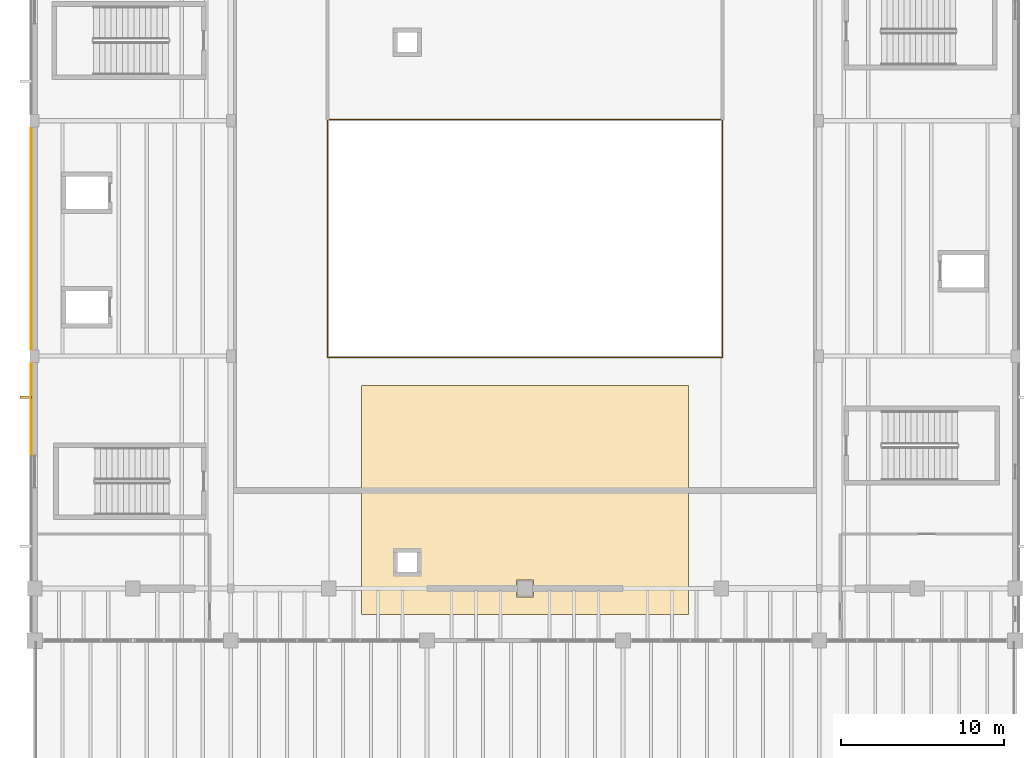
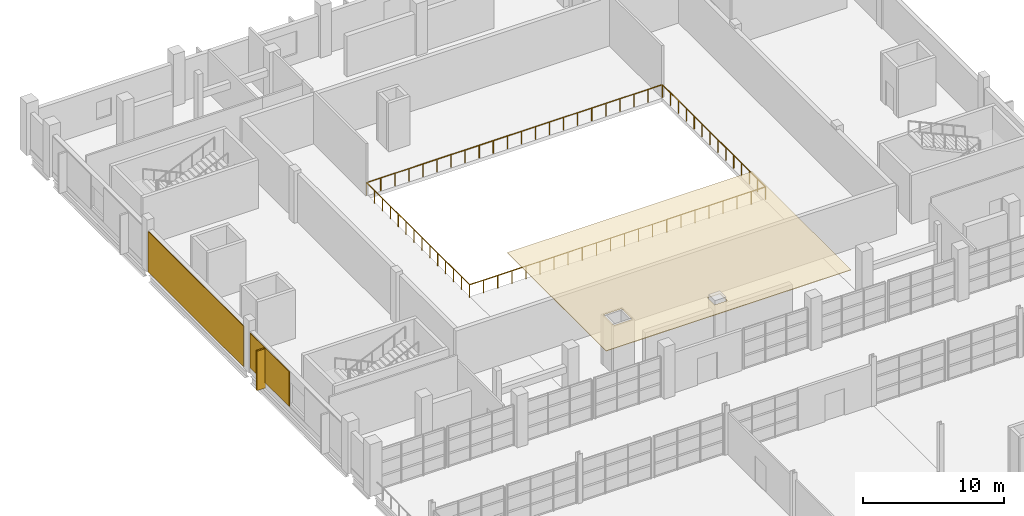
# One storey, part 105 of 114: 4 coverings, 2 railings, 1 shading device.
"""IFC4 building model written with IfcOpenShell, lengths in metres."""

from ifc_helpers import new_model, si_unit, direction, frame, origin, origin_2d, place, context, subcontext, project, spatial, polyline, rectangle, circle, outline, extrude, material, layer, layer_set, type_object, element, save


model = new_model("IFC4")

# Units and contexts
model_context = context("Model", 3, precision=1e-05, world=origin(), true_north=direction((0.0, 1.0)))
body_context = subcontext(model_context, "Body", "Model", "MODEL_VIEW")
ifc_project = project(units=[si_unit("LENGTHUNIT", "METRE"), si_unit("AREAUNIT", "SQUARE_METRE"), si_unit("VOLUMEUNIT", "CUBIC_METRE"), si_unit("PLANEANGLEUNIT", "RADIAN"), si_unit("MASSUNIT", "GRAM", prefix="KILO")], contexts=[model_context])

# Site, building, storey
site_placement = place(None, origin())
site = spatial("IfcSite", under=ifc_project, at=site_placement, CompositionType="ELEMENT")
building_placement = place(site_placement, origin())
building = spatial("IfcBuilding", under=site, at=building_placement, Name="Kelmvaro Bay Concert Hall", CompositionType="ELEMENT")
storey_placement = place(building_placement, frame((0.0, 0.0, 4.800048828125)))
storey = spatial("IfcBuildingStorey", under=building, at=storey_placement, Name="L01", CompositionType="ELEMENT", Elevation=4.800048828125)

# Railings
ifc_material_1 = material(Name="Architectural Bronze and Laminated Glass", Category="glass")
railing_type = type_object("IfcRailingType", Name="Auditorium Balcony Acoustic Brass Guard 1120", PredefinedType="BALUSTRADE", material=ifc_material_1)
railing_1_placement = place(storey_placement, frame((17.919921875, 82.719970703125, 0.0)))
element("IfcRailing", 1, at=railing_1_placement, inside=storey, type_object=railing_type, Name="L01 Balcony Guard 012", PredefinedType="BALUSTRADE", context=body_context, shape_type="SweptSolid", body=[
    extrude(circle(Radius=0.02392578125, at=origin_2d()), frame((0.0, 0.0, 1.09619140625), z_axis=(1.0, 0.0, 0.0), x_axis=(0.0, 1.0, 0.0)), (0.0, 0.0, 1.0), 24.16015625),
    extrude(circle(Radius=0.02392578125, at=origin_2d()), frame((24.16015625, 0.0, 1.09619140625), z_axis=(0.0, 1.0, 0.0), x_axis=(-1.0, 0.0, 0.0)), (0.0, 0.0, 1.0), 14.530029296875),
    extrude(circle(Radius=0.02099609375, at=origin_2d()), origin(), (0.0, 0.0, 1.0), 1.072021484375),
    extrude(circle(Radius=0.02099609375, at=origin_2d()), frame((1.150390625, 0.0, 0.0)), (0.0, 0.0, 1.0), 1.072021484375),
    extrude(circle(Radius=0.02099609375, at=origin_2d()), frame((2.301025390625, 0.0, 0.0)), (0.0, 0.0, 1.0), 1.072021484375),
    extrude(circle(Radius=0.02099609375, at=origin_2d()), frame((3.451416015625, 0.0, 0.0)), (0.0, 0.0, 1.0), 1.072021484375),
    extrude(circle(Radius=0.02099609375, at=origin_2d()), frame((4.60205078125, 0.0, 0.0)), (0.0, 0.0, 1.0), 1.072021484375),
    extrude(circle(Radius=0.02099609375, at=origin_2d()), frame((5.75244140625, 0.0, 0.0)), (0.0, 0.0, 1.0), 1.072021484375),
    extrude(circle(Radius=0.02099609375, at=origin_2d()), frame((6.90283203125, 0.0, 0.0)), (0.0, 0.0, 1.0), 1.072021484375),
    extrude(circle(Radius=0.02099609375, at=origin_2d()), frame((8.053466796875, 0.0, 0.0)), (0.0, 0.0, 1.0), 1.072021484375),
    extrude(circle(Radius=0.02099609375, at=origin_2d()), frame((9.203857421875, 0.0, 0.0)), (0.0, 0.0, 1.0), 1.072021484375),
    extrude(circle(Radius=0.02099609375, at=origin_2d()), frame((10.354248046875, 0.0, 0.0)), (0.0, 0.0, 1.0), 1.072021484375),
    extrude(circle(Radius=0.02099609375, at=origin_2d()), frame((11.5048828125, 0.0, 0.0)), (0.0, 0.0, 1.0), 1.072021484375),
    extrude(circle(Radius=0.02099609375, at=origin_2d()), frame((12.6552734375, 0.0, 0.0)), (0.0, 0.0, 1.0), 1.072021484375),
    extrude(circle(Radius=0.02099609375, at=origin_2d()), frame((13.805908203125, 0.0, 0.0)), (0.0, 0.0, 1.0), 1.072021484375),
    extrude(circle(Radius=0.02099609375, at=origin_2d()), frame((14.956298828125, 0.0, 0.0)), (0.0, 0.0, 1.0), 1.072021484375),
    extrude(circle(Radius=0.02099609375, at=origin_2d()), frame((16.106689453125, 0.0, 0.0)), (0.0, 0.0, 1.0), 1.072021484375),
    extrude(circle(Radius=0.02099609375, at=origin_2d()), frame((17.25732421875, 0.0, 0.0)), (0.0, 0.0, 1.0), 1.072021484375),
    extrude(circle(Radius=0.02099609375, at=origin_2d()), frame((18.40771484375, 0.0, 0.0)), (0.0, 0.0, 1.0), 1.072021484375),
    extrude(circle(Radius=0.02099609375, at=origin_2d()), frame((19.55810546875, 0.0, 0.0)), (0.0, 0.0, 1.0), 1.072021484375),
    extrude(circle(Radius=0.02099609375, at=origin_2d()), frame((20.708740234375, 0.0, 0.0)), (0.0, 0.0, 1.0), 1.072021484375),
    extrude(circle(Radius=0.02099609375, at=origin_2d()), frame((21.859130859375, 0.0, 0.0)), (0.0, 0.0, 1.0), 1.072021484375),
    extrude(circle(Radius=0.02099609375, at=origin_2d()), frame((23.009765625, 0.0, 0.0)), (0.0, 0.0, 1.0), 1.072021484375),
    extrude(circle(Radius=0.02099609375, at=origin_2d()), frame((24.16015625, 0.0, 0.0)), (0.0, 0.0, 1.0), 1.072021484375),
    extrude(circle(Radius=0.02099609375, at=origin_2d()), frame((24.16015625, 1.11767578125, 0.0)), (0.0, 0.0, 1.0), 1.072021484375),
    extrude(circle(Radius=0.02099609375, at=origin_2d()), frame((24.16015625, 2.2353515625, 0.0)), (0.0, 0.0, 1.0), 1.072021484375),
    extrude(circle(Radius=0.02099609375, at=origin_2d()), frame((24.16015625, 3.35302734375, 0.0)), (0.0, 0.0, 1.0), 1.072021484375),
    extrude(circle(Radius=0.02099609375, at=origin_2d()), frame((24.16015625, 4.470703125, 0.0)), (0.0, 0.0, 1.0), 1.072021484375),
    extrude(circle(Radius=0.02099609375, at=origin_2d()), frame((24.16015625, 5.58837890625, 0.0)), (0.0, 0.0, 1.0), 1.072021484375),
    extrude(circle(Radius=0.02099609375, at=origin_2d()), frame((24.16015625, 6.7060546875, 0.0)), (0.0, 0.0, 1.0), 1.072021484375),
    extrude(circle(Radius=0.02099609375, at=origin_2d()), frame((24.16015625, 7.823974609375, 0.0)), (0.0, 0.0, 1.0), 1.072021484375),
    extrude(circle(Radius=0.02099609375, at=origin_2d()), frame((24.16015625, 8.941650390625, 0.0)), (0.0, 0.0, 1.0), 1.072021484375),
    extrude(circle(Radius=0.02099609375, at=origin_2d()), frame((24.16015625, 10.059326171875, 0.0)), (0.0, 0.0, 1.0), 1.072021484375),
    extrude(circle(Radius=0.02099609375, at=origin_2d()), frame((24.16015625, 11.177001953125, 0.0)), (0.0, 0.0, 1.0), 1.072021484375),
    extrude(circle(Radius=0.02099609375, at=origin_2d()), frame((24.16015625, 12.294677734375, 0.0)), (0.0, 0.0, 1.0), 1.072021484375),
    extrude(circle(Radius=0.02099609375, at=origin_2d()), frame((24.16015625, 13.412353515625, 0.0)), (0.0, 0.0, 1.0), 1.072021484375),
    extrude(circle(Radius=0.02099609375, at=origin_2d()), frame((24.16015625, 14.530029296875, 0.0)), (0.0, 0.0, 1.0), 1.072021484375),
])
railing_2_placement = place(storey_placement, frame((42.050048828125, 97.280029296875, 0.0)))
element("IfcRailing", 2, at=railing_2_placement, inside=storey, type_object=railing_type, Name="L01 Balcony Guard 013", PredefinedType="BALUSTRADE", context=body_context, shape_type="SweptSolid", body=[
    extrude(circle(Radius=0.02392578125, at=origin_2d()), frame((0.0, 0.0, 1.09619140625), z_axis=(-1.0, 0.0, 0.0), x_axis=(0.0, -1.0, 0.0)), (0.0, 0.0, 1.0), 24.130126953125),
    extrude(circle(Radius=0.02392578125, at=origin_2d()), frame((-24.130126953125, 0.0, 1.09619140625), z_axis=(0.0, -1.0, 0.0), x_axis=(1.0, 0.0, 0.0)), (0.0, 0.0, 1.0), 14.530029296875),
    extrude(circle(Radius=0.02099609375, at=origin_2d()), origin(), (0.0, 0.0, 1.0), 1.072021484375),
    extrude(circle(Radius=0.02099609375, at=origin_2d()), frame((-1.149169921875, 0.0, 0.0)), (0.0, 0.0, 1.0), 1.072021484375),
    extrude(circle(Radius=0.02099609375, at=origin_2d()), frame((-2.298095703125, 0.0, 0.0)), (0.0, 0.0, 1.0), 1.072021484375),
    extrude(circle(Radius=0.02099609375, at=origin_2d()), frame((-3.447265625, 0.0, 0.0)), (0.0, 0.0, 1.0), 1.072021484375),
    extrude(circle(Radius=0.02099609375, at=origin_2d()), frame((-4.59619140625, 0.0, 0.0)), (0.0, 0.0, 1.0), 1.072021484375),
    extrude(circle(Radius=0.02099609375, at=origin_2d()), frame((-5.745361328125, 0.0, 0.0)), (0.0, 0.0, 1.0), 1.072021484375),
    extrude(circle(Radius=0.02099609375, at=origin_2d()), frame((-6.894287109375, 0.0, 0.0)), (0.0, 0.0, 1.0), 1.072021484375),
    extrude(circle(Radius=0.02099609375, at=origin_2d()), frame((-8.04345703125, 0.0, 0.0)), (0.0, 0.0, 1.0), 1.072021484375),
    extrude(circle(Radius=0.02099609375, at=origin_2d()), frame((-9.1923828125, 0.0, 0.0)), (0.0, 0.0, 1.0), 1.072021484375),
    extrude(circle(Radius=0.02099609375, at=origin_2d()), frame((-10.341552734375, 0.0, 0.0)), (0.0, 0.0, 1.0), 1.072021484375),
    extrude(circle(Radius=0.02099609375, at=origin_2d()), frame((-11.490478515625, 0.0, 0.0)), (0.0, 0.0, 1.0), 1.072021484375),
    extrude(circle(Radius=0.02099609375, at=origin_2d()), frame((-12.6396484375, 0.0, 0.0)), (0.0, 0.0, 1.0), 1.072021484375),
    extrude(circle(Radius=0.02099609375, at=origin_2d()), frame((-13.78857421875, 0.0, 0.0)), (0.0, 0.0, 1.0), 1.072021484375),
    extrude(circle(Radius=0.02099609375, at=origin_2d()), frame((-14.937744140625, 0.0, 0.0)), (0.0, 0.0, 1.0), 1.072021484375),
    extrude(circle(Radius=0.02099609375, at=origin_2d()), frame((-16.086669921875, 0.0, 0.0)), (0.0, 0.0, 1.0), 1.072021484375),
    extrude(circle(Radius=0.02099609375, at=origin_2d()), frame((-17.23583984375, 0.0, 0.0)), (0.0, 0.0, 1.0), 1.072021484375),
    extrude(circle(Radius=0.02099609375, at=origin_2d()), frame((-18.384765625, 0.0, 0.0)), (0.0, 0.0, 1.0), 1.072021484375),
    extrude(circle(Radius=0.02099609375, at=origin_2d()), frame((-19.533935546875, 0.0, 0.0)), (0.0, 0.0, 1.0), 1.072021484375),
    extrude(circle(Radius=0.02099609375, at=origin_2d()), frame((-20.682861328125, 0.0, 0.0)), (0.0, 0.0, 1.0), 1.072021484375),
    extrude(circle(Radius=0.02099609375, at=origin_2d()), frame((-21.83203125, 0.0, 0.0)), (0.0, 0.0, 1.0), 1.072021484375),
    extrude(circle(Radius=0.02099609375, at=origin_2d()), frame((-22.98095703125, 0.0, 0.0)), (0.0, 0.0, 1.0), 1.072021484375),
    extrude(circle(Radius=0.02099609375, at=origin_2d()), frame((-24.130126953125, 0.0, 0.0)), (0.0, 0.0, 1.0), 1.072021484375),
    extrude(circle(Radius=0.02099609375, at=origin_2d()), frame((-24.130126953125, -1.11767578125, 0.0)), (0.0, 0.0, 1.0), 1.072021484375),
    extrude(circle(Radius=0.02099609375, at=origin_2d()), frame((-24.130126953125, -2.2353515625, 0.0)), (0.0, 0.0, 1.0), 1.072021484375),
    extrude(circle(Radius=0.02099609375, at=origin_2d()), frame((-24.130126953125, -3.35302734375, 0.0)), (0.0, 0.0, 1.0), 1.072021484375),
    extrude(circle(Radius=0.02099609375, at=origin_2d()), frame((-24.130126953125, -4.470703125, 0.0)), (0.0, 0.0, 1.0), 1.072021484375),
    extrude(circle(Radius=0.02099609375, at=origin_2d()), frame((-24.130126953125, -5.58837890625, 0.0)), (0.0, 0.0, 1.0), 1.072021484375),
    extrude(circle(Radius=0.02099609375, at=origin_2d()), frame((-24.130126953125, -6.7060546875, 0.0)), (0.0, 0.0, 1.0), 1.072021484375),
    extrude(circle(Radius=0.02099609375, at=origin_2d()), frame((-24.130126953125, -7.823974609375, 0.0)), (0.0, 0.0, 1.0), 1.072021484375),
    extrude(circle(Radius=0.02099609375, at=origin_2d()), frame((-24.130126953125, -8.941650390625, 0.0)), (0.0, 0.0, 1.0), 1.072021484375),
    extrude(circle(Radius=0.02099609375, at=origin_2d()), frame((-24.130126953125, -10.059326171875, 0.0)), (0.0, 0.0, 1.0), 1.072021484375),
    extrude(circle(Radius=0.02099609375, at=origin_2d()), frame((-24.130126953125, -11.177001953125, 0.0)), (0.0, 0.0, 1.0), 1.072021484375),
    extrude(circle(Radius=0.02099609375, at=origin_2d()), frame((-24.130126953125, -12.294677734375, 0.0)), (0.0, 0.0, 1.0), 1.072021484375),
    extrude(circle(Radius=0.02099609375, at=origin_2d()), frame((-24.130126953125, -13.412353515625, 0.0)), (0.0, 0.0, 1.0), 1.072021484375),
    extrude(circle(Radius=0.02099609375, at=origin_2d()), frame((-24.130126953125, -14.530029296875, 0.0)), (0.0, 0.0, 1.0), 1.072021484375),
])

# Shading device
ifc_material_2 = material(Name="Anodised Extruded Aluminium 6063-T6", Category="aluminium")
ifc_layer_1 = layer(ifc_material_2, 3.39990234375)
ifc_layer_set_1 = layer_set([ifc_layer_1], Name="Anodised Extruded Aluminium 6063-T6")
shading_device_type = type_object("IfcShadingDeviceType", Name="Bauhaus Vertical Solar Brise-Soleil Fin 720x3400", PredefinedType="SHUTTER", material=ifc_layer_set_1)
shading_device_placement = place(storey_placement, frame((-0.535888671875, 80.28173828125, 0.06005859375), z_axis=(0.0, 0.0, 1.0), x_axis=(0.0, 1.0, 0.0)))
element("IfcShadingDevice", 3, at=shading_device_placement, inside=storey, type_object=shading_device_type, Name="L01 Solar Brise-Soleil Fin 008", PredefinedType="SHUTTER", context=body_context, shape_type="SweptSolid", body=[
    extrude(rectangle(XDim=0.159912109375, YDim=0.719970703125, at=origin_2d()), origin(), (0.0, 0.0, 1.0), 3.39990234375),
])

# Coverings
ifc_material_3 = material(Name="PVDF-Coated Architectural Aluminium", Category="aluminium")
ifc_layer_2 = layer(ifc_material_3, 0.0400390625)
ifc_layer_set_2 = layer_set([ifc_layer_2], Name="PVDF-Coated Architectural Aluminium")
covering_type_1 = type_object("IfcCoveringType", Name="De Stijl Enamelled Aluminium Fascia Panel 40", PredefinedType="CLADDING", material=ifc_layer_set_2)
covering_1_placement = place(storey_placement, frame((-0.535888671875, 80.28173828125, 0.06005859375), z_axis=(0.0, 0.0, 1.0), x_axis=(0.0, 1.0, 0.0)))
element("IfcCovering", 4, at=covering_1_placement, inside=storey, type_object=covering_type_1, Name="L01 Architectural Vertical Fin Cladding 0043", PredefinedType="CLADDING", context=body_context, shape_type="SweptSolid", body=[
    extrude(rectangle(XDim=0.139892578125, YDim=0.699951171875, at=origin_2d()), origin(), (0.0, 0.0, 1.0), 3.39990234375),
])
ifc_material_4 = material(Name="Honed Florida Limestone Travertine", Category="masonry")
ifc_layer_3 = layer(ifc_material_4, 0.054931640625)
ifc_layer_set_3 = layer_set([ifc_layer_3], Name="Honed Florida Limestone Travertine")
covering_type_2 = type_object("IfcCoveringType", Name="Honed Florida Travertine Rainscreen Cladding 55", PredefinedType="CLADDING", material=ifc_layer_set_3)
covering_2_placement = place(storey_placement, frame((-0.20556640625, 79.57373046875, 0.52001953125), z_axis=(0.0, 0.0, 1.0), x_axis=(0.0, 1.0, 0.0)))
element("IfcCovering", 5, at=covering_2_placement, inside=storey, type_object=covering_type_2, Name="L01 Travertine Pier Panel 0045", PredefinedType="CLADDING", context=body_context, shape_type="SweptSolid", body=[
    extrude(rectangle(XDim=5.5419921875, YDim=0.054931640625, at=origin_2d()), origin(), (0.0, 0.0, 1.0), 2.989013671875),
])
covering_3_placement = place(storey_placement, frame((-0.20556640625, 90.0, 0.02978515625), z_axis=(0.0, 0.0, 1.0), x_axis=(0.0, 1.0, 0.0)))
element("IfcCovering", 6, at=covering_3_placement, inside=storey, type_object=covering_type_2, Name="L01 Travertine Cladding Panel 0046", PredefinedType="CLADDING", context=body_context, shape_type="SweptSolid", body=[
    extrude(rectangle(XDim=13.530029296875, YDim=0.054931640625, at=origin_2d()), origin(), (0.0, 0.0, 1.0), 3.509033203125),
])
ifc_material_5 = material(Name="Micro-Perforated Acoustic Gypsum Board")
ifc_layer_4 = layer(ifc_material_5, 0.050048828125)
ifc_layer_set_4 = layer_set([ifc_layer_4], Name="Micro-Perforated Acoustic Gypsum Board")
covering_type_3 = type_object("IfcCoveringType", Name="Perforated Gypsum Foyer Acoustic Ceiling 50", PredefinedType="CEILING", material=ifc_layer_set_4)
covering_4_placement = place(storey_placement, frame((0.0, 0.0, 4.14990234375)))
element("IfcCovering", 7, at=covering_4_placement, inside=storey, type_object=covering_type_3, Name="L01 Acoustic Ceiling 08", PredefinedType="CEILING", context=body_context, shape_type="SweptSolid", body=[
    extrude(outline(polyline([(20.0, 81.0), (40.0, 81.0), (40.0, 67.0), (20.0, 67.0), (20.0, 81.0)]), holes=[polyline([(29.489990234375, 69.090087890625), (29.489990234375, 68.070068359375), (30.510009765625, 68.070068359375), (30.510009765625, 69.090087890625), (29.489990234375, 69.090087890625)]), polyline([(23.550048828125, 70.949951171875), (22.050048828125, 70.949951171875), (22.050048828125, 69.449951171875), (23.550048828125, 69.449951171875), (23.550048828125, 70.949951171875)])]), origin(), (0.0, 0.0, 1.0), 0.050048828125),
])

save(model, "model.ifc")
